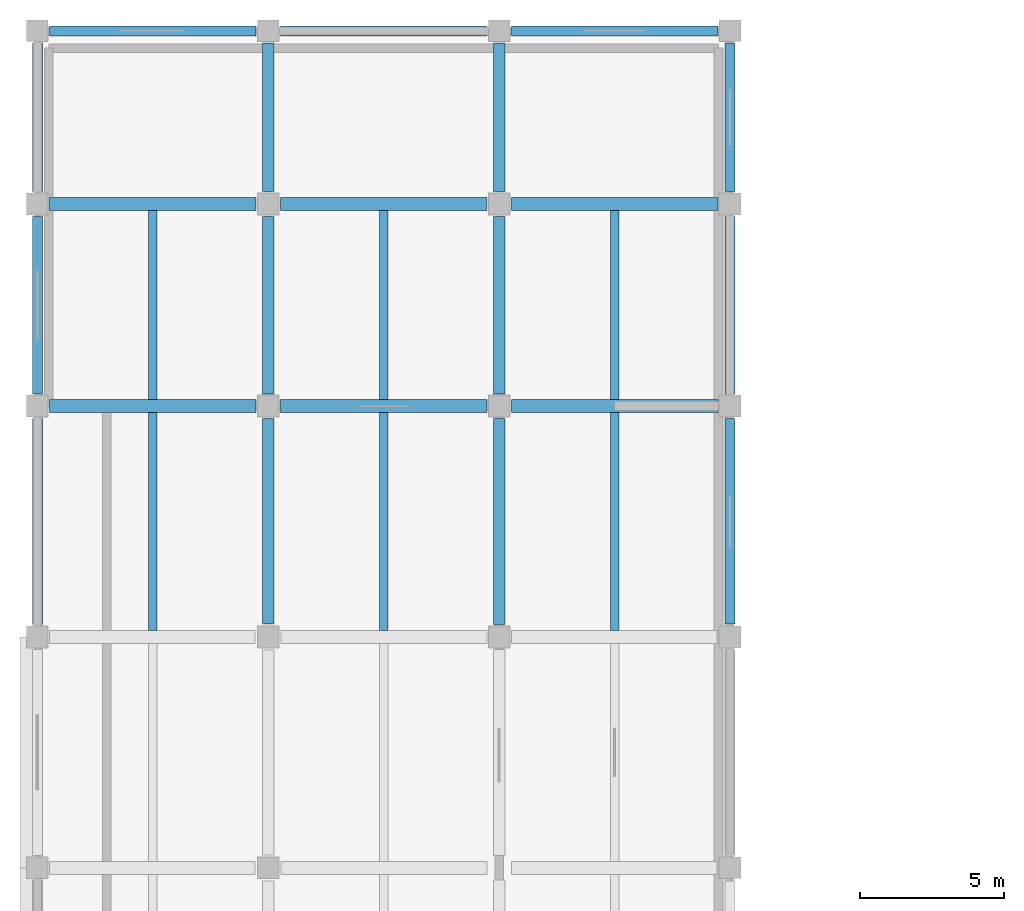
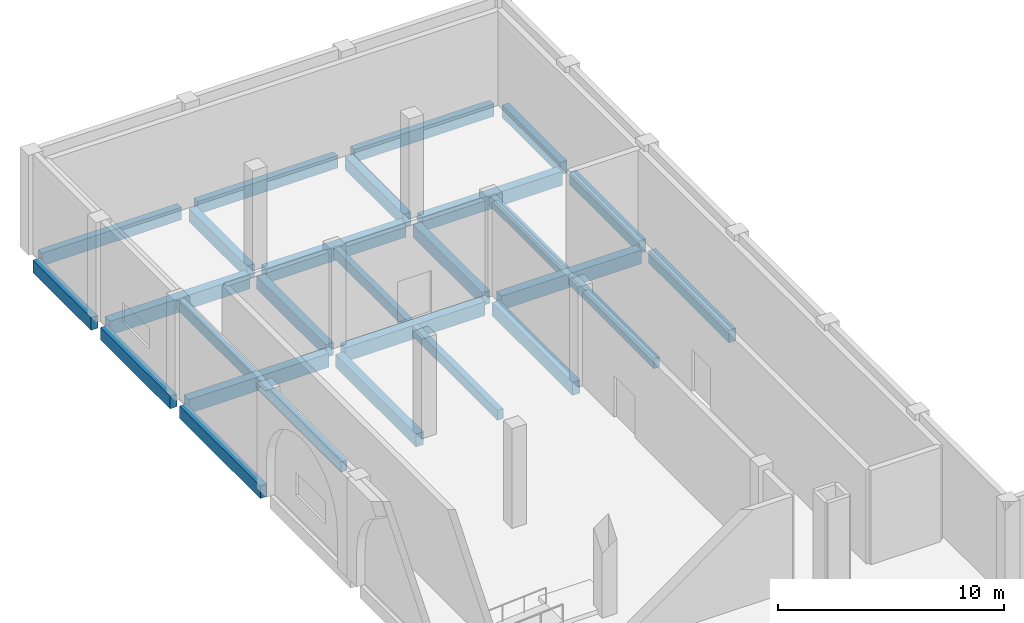
# One storey, part 10 of 40: 27 beams.
"""IFC4 building model written with IfcOpenShell, lengths in metres."""

from ifc_helpers import new_model, si_unit, direction, frame, origin, origin_2d, place, context, subcontext, project, spatial, rectangle, extrude, material, material_profile, profile_set, type_object, element, save


model = new_model("IFC4")

# Units and contexts
model_context = context("Model", 3, precision=1e-05, world=origin(), true_north=direction((0.0, 1.0)))
body_context = subcontext(model_context, "Body", "Model", "MODEL_VIEW")
ifc_project = project(units=[si_unit("LENGTHUNIT", "METRE"), si_unit("AREAUNIT", "SQUARE_METRE"), si_unit("VOLUMEUNIT", "CUBIC_METRE"), si_unit("PLANEANGLEUNIT", "RADIAN"), si_unit("MASSUNIT", "GRAM", prefix="KILO")], contexts=[model_context])

# Site, building, storey
site_placement = place(None, origin())
site = spatial("IfcSite", under=ifc_project, at=site_placement, CompositionType="ELEMENT")
building_placement = place(site_placement, origin())
building = spatial("IfcBuilding", under=site, at=building_placement, Name="Qorikala Patio Media Centre", CompositionType="ELEMENT")
storey_placement = place(building_placement, origin())
storey = spatial("IfcBuildingStorey", under=building, at=storey_placement, Name="L00", CompositionType="ELEMENT", Elevation=0.0)

# Beams
ifc_material = material(Name="Concrete C35/45", Category="concrete")
ifc_material_profile_1 = material_profile(ifc_material, rectangle(XDim=0.39990234375, YDim=0.699951171875, at=origin_2d()), Name="RC 400x700")
ifc_profile_set_1 = profile_set([ifc_material_profile_1], Name="Concrete C35/45")
beam_type_1 = type_object("IfcBeamType", Name="BM-G400X700", PredefinedType="BEAM", material=ifc_profile_set_1)
beam_1_placement = place(storey_placement, frame((11.0, 96.449951171875, -0.64990234375), z_axis=(0.0, 1.0, 0.0), x_axis=(-1.0, 0.0, 0.0)))
element("IfcBeam", 1, at=beam_1_placement, inside=storey, type_object=beam_type_1, Name="L00 Grid X=11 Beam 0182", PredefinedType="BEAM", context=body_context, shape_type="SweptSolid", body=[
    extrude(rectangle(XDim=0.39990234375, YDim=0.699951171875, at=origin_2d()), origin(), (0.0, 0.0, 1.0), 7.125),
])
beam_2_placement = place(storey_placement, frame((11.0, 104.425048828125, -0.64990234375), z_axis=(0.0, 1.0, 0.0), x_axis=(-1.0, 0.0, 0.0)))
element("IfcBeam", 2, at=beam_2_placement, inside=storey, type_object=beam_type_1, Name="L00 Grid X=11 Beam 0183", PredefinedType="BEAM", context=body_context, shape_type="SweptSolid", body=[
    extrude(rectangle(XDim=0.39990234375, YDim=0.699951171875, at=origin_2d()), origin(), (0.0, 0.0, 1.0), 6.14990234375),
])
beam_3_placement = place(storey_placement, frame((11.0, 111.425048828125, -0.64990234375), z_axis=(0.0, 1.0, 0.0), x_axis=(-1.0, 0.0, 0.0)))
element("IfcBeam", 3, at=beam_3_placement, inside=storey, type_object=beam_type_1, Name="L00 Grid X=11 Beam 0184", PredefinedType="BEAM", context=body_context, shape_type="SweptSolid", body=[
    extrude(rectangle(XDim=0.39990234375, YDim=0.699951171875, at=origin_2d()), origin(), (0.0, 0.0, 1.0), 5.14990234375),
])
beam_4_placement = place(storey_placement, frame((19.0, 96.425048828125, -0.64990234375), z_axis=(0.0, 1.0, 0.0), x_axis=(-1.0, 0.0, 0.0)))
element("IfcBeam", 4, at=beam_4_placement, inside=storey, type_object=beam_type_1, Name="L00 Grid X=19 Beam 0197", PredefinedType="BEAM", context=body_context, shape_type="SweptSolid", body=[
    extrude(rectangle(XDim=0.39990234375, YDim=0.699951171875, at=origin_2d()), origin(), (0.0, 0.0, 1.0), 7.14990234375),
])
beam_5_placement = place(storey_placement, frame((19.0, 104.425048828125, -0.64990234375), z_axis=(0.0, 1.0, 0.0), x_axis=(-1.0, 0.0, 0.0)))
element("IfcBeam", 5, at=beam_5_placement, inside=storey, type_object=beam_type_1, Name="L00 Grid X=19 Beam 0198", PredefinedType="BEAM", context=body_context, shape_type="SweptSolid", body=[
    extrude(rectangle(XDim=0.39990234375, YDim=0.699951171875, at=origin_2d()), origin(), (0.0, 0.0, 1.0), 6.14990234375),
])
beam_6_placement = place(storey_placement, frame((19.0, 111.425048828125, -0.64990234375), z_axis=(0.0, 1.0, 0.0), x_axis=(-1.0, 0.0, 0.0)))
element("IfcBeam", 6, at=beam_6_placement, inside=storey, type_object=beam_type_1, Name="L00 Grid X=19 Beam 0199", PredefinedType="BEAM", context=body_context, shape_type="SweptSolid", body=[
    extrude(rectangle(XDim=0.39990234375, YDim=0.699951171875, at=origin_2d()), origin(), (0.0, 0.0, 1.0), 5.14990234375),
])
ifc_material_profile_2 = material_profile(ifc_material, rectangle(XDim=0.449951171875, YDim=0.75, at=origin_2d()), Name="RC 450x750")
ifc_profile_set_2 = profile_set([ifc_material_profile_2], Name="Concrete C35/45")
beam_type_2 = type_object("IfcBeamType", Name="BM-G450X750", PredefinedType="BEAM", material=ifc_profile_set_2)
for number, where, z_axis, x_axis, name in (
    (7, (3.425048828125, 104.0, -0.675048828125), (1.0, 0.0, 0.0), (0.0, 1.0, 0.0), "L00 Grid 104 Beam 0142"),
    (8, (11.425048828125, 104.0, -0.675048828125), (1.0, 0.0, 0.0), (0.0, 1.0, 0.0), "L00 Grid 104 Beam 0143"),
    (9, (19.425048828125, 104.0, -0.675048828125), (1.0, 0.0, 0.0), (0.0, 1.0, 0.0), "L00 Grid 104 Beam 0144"),
    (10, (3.425048828125, 111.0, -0.675048828125), (1.0, 0.0, 0.0), (0.0, 1.0, 0.0), "L00 Grid 111 Beam 0148"),
    (11, (11.425048828125, 111.0, -0.675048828125), (1.0, 0.0, 0.0), (0.0, 1.0, 0.0), "L00 Grid 111 Beam 0149"),
    (12, (19.425048828125, 111.0, -0.675048828125), (1.0, 0.0, 0.0), (0.0, 1.0, 0.0), "L00 Grid 111 Beam 0150"),
):
    element("IfcBeam", number, at=place(storey_placement, frame(where, z_axis=z_axis, x_axis=x_axis)), inside=storey, type_object=beam_type_2, Name=name, PredefinedType="BEAM", context=body_context, shape_type="SweptSolid", body=[
        extrude(rectangle(XDim=0.449951171875, YDim=0.75, at=origin_2d()), origin(), (0.0, 0.0, 1.0), 7.14990234375),
    ])
ifc_material_profile_3 = material_profile(ifc_material, rectangle(XDim=0.300048828125, YDim=0.550048828125, at=origin_2d()), Name="RC 300x550")
ifc_profile_set_3 = profile_set([ifc_material_profile_3], Name="Concrete C35/45")
beam_type_3 = type_object("IfcBeamType", Name="JS-300X550", PredefinedType="JOIST", material=ifc_profile_set_3)
beam_7_placement = place(storey_placement, frame((7.0, 96.22509765625, -0.574951171875), z_axis=(0.0, 1.0, 0.0), x_axis=(-1.0, 0.0, 0.0)))
element("IfcBeam", 13, at=beam_7_placement, inside=storey, type_object=beam_type_3, Name="L00 Secondary Joist 0308", PredefinedType="JOIST", context=body_context, shape_type="SweptSolid", body=[
    extrude(rectangle(XDim=0.300048828125, YDim=0.550048828125, at=origin_2d()), origin(), (0.0, 0.0, 1.0), 7.5498046875),
])
beam_8_placement = place(storey_placement, frame((7.0, 104.22509765625, -0.574951171875), z_axis=(0.0, 1.0, 0.0), x_axis=(-1.0, 0.0, 0.0)))
element("IfcBeam", 14, at=beam_8_placement, inside=storey, type_object=beam_type_3, Name="L00 Secondary Joist 0309", PredefinedType="JOIST", context=body_context, shape_type="SweptSolid", body=[
    extrude(rectangle(XDim=0.300048828125, YDim=0.550048828125, at=origin_2d()), origin(), (0.0, 0.0, 1.0), 6.5498046875),
])
beam_9_placement = place(storey_placement, frame((15.0, 96.22509765625, -0.574951171875), z_axis=(0.0, 1.0, 0.0), x_axis=(-1.0, 0.0, 0.0)))
element("IfcBeam", 15, at=beam_9_placement, inside=storey, type_object=beam_type_3, Name="L00 Secondary Joist 0319", PredefinedType="JOIST", context=body_context, shape_type="SweptSolid", body=[
    extrude(rectangle(XDim=0.300048828125, YDim=0.550048828125, at=origin_2d()), origin(), (0.0, 0.0, 1.0), 7.5498046875),
])
beam_10_placement = place(storey_placement, frame((15.0, 104.22509765625, -0.574951171875), z_axis=(0.0, 1.0, 0.0), x_axis=(-1.0, 0.0, 0.0)))
element("IfcBeam", 16, at=beam_10_placement, inside=storey, type_object=beam_type_3, Name="L00 Secondary Joist 0320", PredefinedType="JOIST", context=body_context, shape_type="SweptSolid", body=[
    extrude(rectangle(XDim=0.300048828125, YDim=0.550048828125, at=origin_2d()), origin(), (0.0, 0.0, 1.0), 6.5498046875),
])
beam_11_placement = place(storey_placement, frame((23.0, 96.22509765625, -0.574951171875), z_axis=(0.0, 1.0, 0.0), x_axis=(-1.0, 0.0, 0.0)))
element("IfcBeam", 17, at=beam_11_placement, inside=storey, type_object=beam_type_3, Name="L00 Secondary Joist 0332", PredefinedType="JOIST", context=body_context, shape_type="SweptSolid", body=[
    extrude(rectangle(XDim=0.300048828125, YDim=0.550048828125, at=origin_2d()), origin(), (0.0, 0.0, 1.0), 7.5498046875),
])
beam_12_placement = place(storey_placement, frame((23.0, 104.22509765625, -0.574951171875), z_axis=(0.0, 1.0, 0.0), x_axis=(-1.0, 0.0, 0.0)))
element("IfcBeam", 18, at=beam_12_placement, inside=storey, type_object=beam_type_3, Name="L00 Secondary Joist 0333", PredefinedType="JOIST", context=body_context, shape_type="SweptSolid", body=[
    extrude(rectangle(XDim=0.300048828125, YDim=0.550048828125, at=origin_2d()), origin(), (0.0, 0.0, 1.0), 6.5498046875),
])
ifc_material_profile_4 = material_profile(ifc_material, rectangle(XDim=0.35009765625, YDim=0.679931640625, at=origin_2d()), Name="RC 350x680")
ifc_profile_set_4 = profile_set([ifc_material_profile_4], Name="Concrete C35/45")
beam_type_4 = type_object("IfcBeamType", Name="SP-350X680", PredefinedType="SPANDREL", material=ifc_profile_set_4)
for number, where, z_axis, x_axis, name in (
    (19, (3.425048828125, 117.0, -0.639892578125), (1.0, 0.0, 0.0), (0.0, 1.0, 0.0), "L00 Grid 117 Beam 0154"),
    (20, (11.425048828125, 117.0, -0.639892578125), (1.0, 0.0, 0.0), (0.0, 1.0, 0.0), "L00 Grid 117 Beam 0155"),
    (21, (19.425048828125, 117.0, -0.639892578125), (1.0, 0.0, 0.0), (0.0, 1.0, 0.0), "L00 Grid 117 Beam 0156"),
    (22, (3.0, 96.425048828125, -0.639892578125), (0.0, 1.0, 0.0), (-1.0, 0.0, 0.0), "L00 Grid X=3 Beam 0169"),
):
    element("IfcBeam", number, at=place(storey_placement, frame(where, z_axis=z_axis, x_axis=x_axis)), inside=storey, type_object=beam_type_4, Name=name, PredefinedType="SPANDREL", context=body_context, shape_type="SweptSolid", body=[
        extrude(rectangle(XDim=0.35009765625, YDim=0.679931640625, at=origin_2d()), origin(), (0.0, 0.0, 1.0), 7.14990234375),
    ])
beam_13_placement = place(storey_placement, frame((3.0, 104.425048828125, -0.639892578125), z_axis=(0.0, 1.0, 0.0), x_axis=(-1.0, 0.0, 0.0)))
element("IfcBeam", 23, at=beam_13_placement, inside=storey, type_object=beam_type_4, Name="L00 Grid X=3 Beam 0170", PredefinedType="SPANDREL", context=body_context, shape_type="SweptSolid", body=[
    extrude(rectangle(XDim=0.35009765625, YDim=0.679931640625, at=origin_2d()), origin(), (0.0, 0.0, 1.0), 6.14990234375),
])
beam_14_placement = place(storey_placement, frame((3.0, 111.425048828125, -0.639892578125), z_axis=(0.0, 1.0, 0.0), x_axis=(-1.0, 0.0, 0.0)))
element("IfcBeam", 24, at=beam_14_placement, inside=storey, type_object=beam_type_4, Name="L00 Grid X=3 Beam 0171", PredefinedType="SPANDREL", context=body_context, shape_type="SweptSolid", body=[
    extrude(rectangle(XDim=0.35009765625, YDim=0.679931640625, at=origin_2d()), origin(), (0.0, 0.0, 1.0), 5.14990234375),
])
beam_15_placement = place(storey_placement, frame((27.0, 96.449951171875, -0.639892578125), z_axis=(0.0, 1.0, 0.0), x_axis=(-1.0, 0.0, 0.0)))
element("IfcBeam", 25, at=beam_15_placement, inside=storey, type_object=beam_type_4, Name="L00 Grid X=27 Beam 0212", PredefinedType="SPANDREL", context=body_context, shape_type="SweptSolid", body=[
    extrude(rectangle(XDim=0.35009765625, YDim=0.679931640625, at=origin_2d()), origin(), (0.0, 0.0, 1.0), 7.125),
])
beam_16_placement = place(storey_placement, frame((27.0, 104.425048828125, -0.639892578125), z_axis=(0.0, 1.0, 0.0), x_axis=(-1.0, 0.0, 0.0)))
element("IfcBeam", 26, at=beam_16_placement, inside=storey, type_object=beam_type_4, Name="L00 Grid X=27 Beam 0213", PredefinedType="SPANDREL", context=body_context, shape_type="SweptSolid", body=[
    extrude(rectangle(XDim=0.35009765625, YDim=0.679931640625, at=origin_2d()), origin(), (0.0, 0.0, 1.0), 6.14990234375),
])
beam_17_placement = place(storey_placement, frame((27.0, 111.425048828125, -0.639892578125), z_axis=(0.0, 1.0, 0.0), x_axis=(-1.0, 0.0, 0.0)))
element("IfcBeam", 27, at=beam_17_placement, inside=storey, type_object=beam_type_4, Name="L00 Grid X=27 Beam 0214", PredefinedType="SPANDREL", context=body_context, shape_type="SweptSolid", body=[
    extrude(rectangle(XDim=0.35009765625, YDim=0.679931640625, at=origin_2d()), origin(), (0.0, 0.0, 1.0), 5.14990234375),
])

save(model, "model.ifc")
